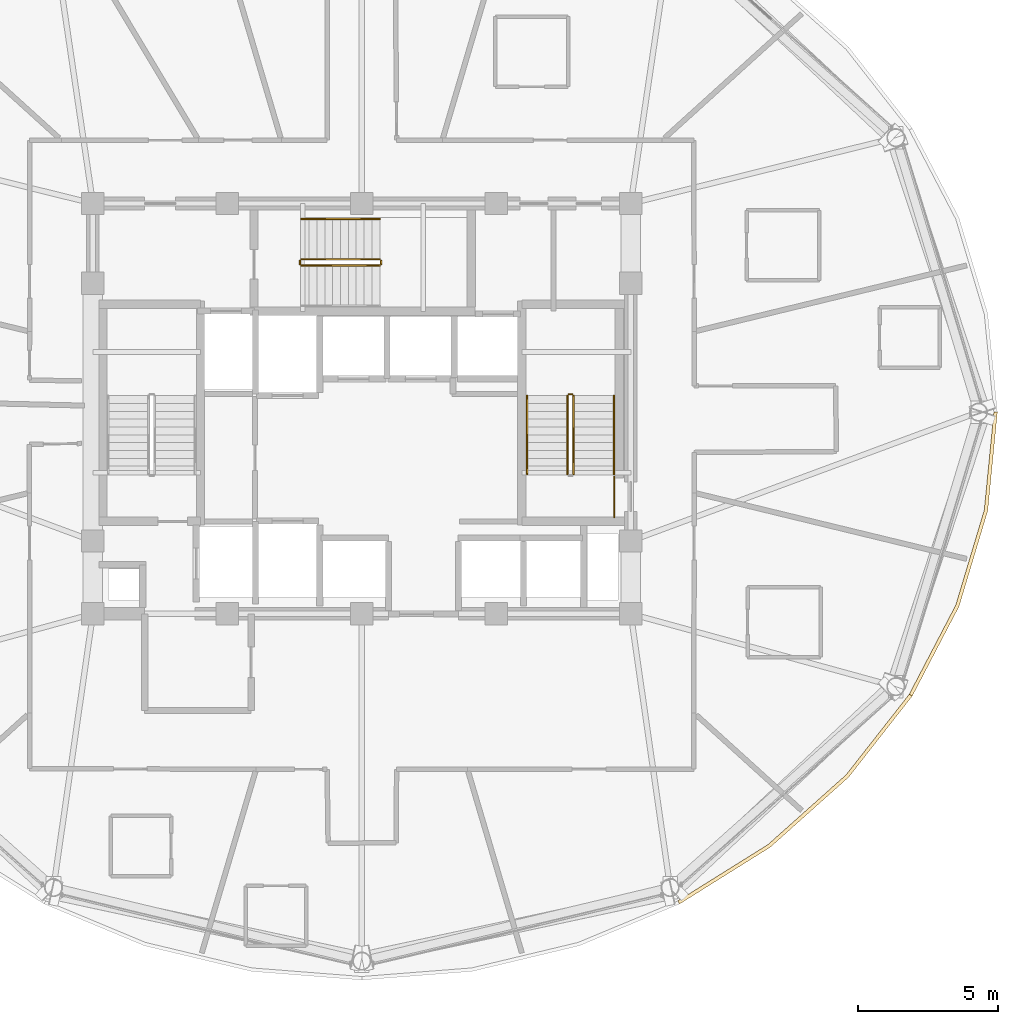
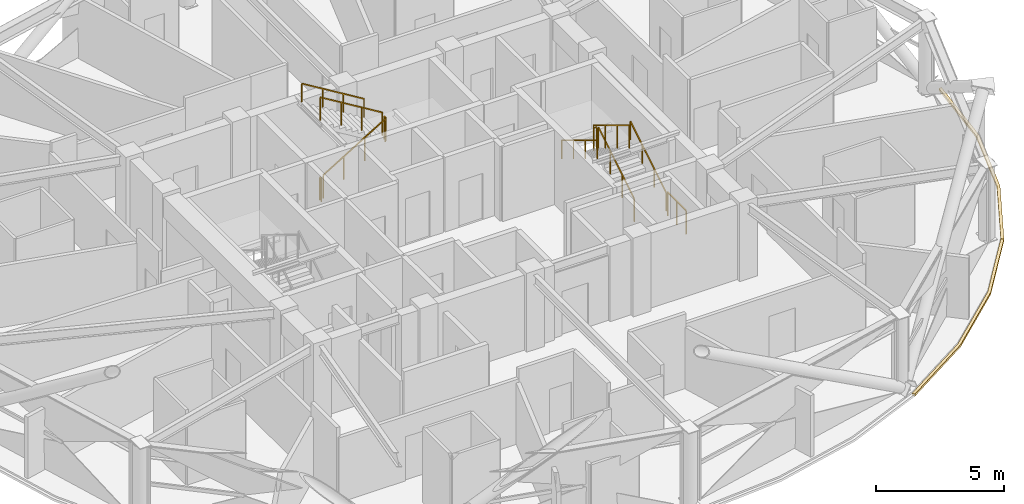
# One storey, part 28 of 29: 11 railings, 2 coverings.
"""IFC4 building model written with IfcOpenShell, lengths in metres."""

from ifc_helpers import new_model, si_unit, direction, frame, origin, origin_2d, place, context, subcontext, project, spatial, polyline, rectangle, outline, extrude, material, layer, layer_set, type_object, element, save


model = new_model("IFC4")

# Units and contexts
model_context = context("Model", 3, precision=1e-05, world=origin(), true_north=direction((0.0, 1.0)))
body_context = subcontext(model_context, "Body", "Model", "MODEL_VIEW")
ifc_project = project(units=[si_unit("LENGTHUNIT", "METRE"), si_unit("AREAUNIT", "SQUARE_METRE"), si_unit("VOLUMEUNIT", "CUBIC_METRE"), si_unit("PLANEANGLEUNIT", "RADIAN"), si_unit("MASSUNIT", "GRAM", prefix="KILO")], contexts=[model_context])

# Site, building, storey
site_placement = place(None, origin())
site = spatial("IfcSite", under=ifc_project, at=site_placement, CompositionType="ELEMENT")
building_placement = place(site_placement, origin())
building = spatial("IfcBuilding", under=site, at=building_placement, Name="Vantalir Tower", CompositionType="ELEMENT")
storey_placement = place(building_placement, frame((0.0, 0.0, 227.39990234375)))
storey = spatial("IfcBuildingStorey", under=building, at=storey_placement, Name="L57", CompositionType="ELEMENT", Elevation=227.39990234375)

# Coverings
ifc_material_1 = material(Name="Anodised champagne aluminium sill fascia", Category="aluminium")
ifc_layer = layer(ifc_material_1, 0.125)
ifc_layer_set = layer_set([ifc_layer], Name="Anodised champagne aluminium sill fascia")
covering_type = type_object("IfcCoveringType", Name="COV-SLAB-FASCIA-125", PredefinedType="CLADDING", material=ifc_layer_set)
covering_1_placement = place(storey_placement, frame((0.0, 0.0, -0.179931640625)))
element("IfcCovering", 1, at=covering_1_placement, inside=storey, type_object=covering_type, Name="L57 Perimeter Slab-Edge Sill Fascia 11", PredefinedType="CLADDING", context=body_context, shape_type="SweptSolid", body=[
    extrude(outline(polyline([(42.843994140625, 7.445068359375), (46.083984375, 9.471923828125), (48.8798828125, 11.969970703125), (51.14794921875, 14.864013671875), (51.0400390625, 14.927001953125), (48.783935546875, 12.050048828125), (46.0029296875, 9.56689453125), (42.781982421875, 7.552978515625), (42.843994140625, 7.445068359375)])), origin(), (0.0, 0.0, 1.0), 0.10498046875),
])
covering_2_placement = place(storey_placement, frame((0.0, 0.0, -0.179931640625)))
element("IfcCovering", 2, at=covering_2_placement, inside=storey, type_object=covering_type, Name="L57 Perimeter Slab-Edge Sill Fascia 12", PredefinedType="CLADDING", context=body_context, shape_type="SweptSolid", body=[
    extrude(outline(polyline([(51.14794921875, 14.864013671875), (52.820068359375, 18.06689453125), (53.843017578125, 21.47998046875), (54.18798828125, 25.0), (54.06298828125, 25.0), (53.719970703125, 21.501953125), (52.701904296875, 18.110107421875), (51.0400390625, 14.927001953125), (51.14794921875, 14.864013671875)])), origin(), (0.0, 0.0, 1.0), 0.10498046875),
])

# Railings
ifc_material_2 = material(Name="Anodised aluminium and stainless steel guard", Category="steel")
railing_type_1 = type_object("IfcRailingType", Name="RAL-GUARD-1120", PredefinedType="GUARDRAIL", material=ifc_material_2)
railing_1_placement = place(storey_placement, frame((39.06005859375, 22.7900390625, 0.170654296875)))
element("IfcRailing", 3, at=railing_1_placement, inside=storey, type_object=railing_type_1, Name="L57 ST2 stair guard 1", PredefinedType="GUARDRAIL", context=body_context, shape_type="SweptSolid", body=[
    extrude(rectangle(XDim=0.048095703125, YDim=0.048095703125, at=origin_2d()), frame((0.0, 0.0, 1.09619140625), z_axis=(0.0, 0.854202870247, 0.519939858505), x_axis=(-1.0, 0.0, 0.0)), (0.0, 0.0, 1.0), 3.278076171875),
    extrude(rectangle(XDim=0.0419921875, YDim=0.0419921875, at=origin_2d()), origin(), (0.0, 0.0, 1.0), 1.072021484375),
    extrude(rectangle(XDim=0.0419921875, YDim=0.0419921875, at=origin_2d()), frame((0.0, 0.933349609375, 0.568115234375)), (0.0, 0.0, 1.0), 1.072021484375),
    extrude(rectangle(XDim=0.0419921875, YDim=0.0419921875, at=origin_2d()), frame((0.0, 1.86669921875, 1.13623046875)), (0.0, 0.0, 1.0), 1.072021484375),
    extrude(rectangle(XDim=0.0419921875, YDim=0.0419921875, at=origin_2d()), frame((0.0, 2.800048828125, 1.704345703125)), (0.0, 0.0, 1.0), 1.072021484375),
])
railing_2_placement = place(storey_placement, frame((39.010009765625, 25.639892578125, 1.875)))
element("IfcRailing", 4, at=railing_2_placement, inside=storey, type_object=railing_type_1, Name="L57 ST2 stair guard 2", PredefinedType="GUARDRAIL", context=body_context, shape_type="SweptSolid", body=[
    extrude(rectangle(XDim=0.048095703125, YDim=0.048095703125, at=origin_2d()), frame((0.0, 0.0, 1.09619140625), z_axis=(-1.0, 0.0, 0.0), x_axis=(0.0, -1.0, 0.0)), (0.0, 0.0, 1.0), 0.1201171875),
    extrude(rectangle(XDim=0.0419921875, YDim=0.0419921875, at=origin_2d()), origin(), (0.0, 0.0, 1.0), 1.072021484375),
    extrude(rectangle(XDim=0.0419921875, YDim=0.0419921875, at=origin_2d()), frame((-0.1201171875, 0.0, 0.0)), (0.0, 0.0, 1.0), 1.072021484375),
])
railing_3_placement = place(storey_placement, frame((38.840087890625, 25.590087890625, 2.045654296875)))
element("IfcRailing", 5, at=railing_3_placement, inside=storey, type_object=railing_type_1, Name="L57 ST2 stair guard 3", PredefinedType="GUARDRAIL", context=body_context, shape_type="SweptSolid", body=[
    extrude(rectangle(XDim=0.048095703125, YDim=0.048095703125, at=origin_2d()), frame((0.0, 0.0, 1.09619140625), z_axis=(0.0, -0.854202870247, 0.519939858505), x_axis=(1.0, 0.0, 0.0)), (0.0, 0.0, 1.0), 3.278076171875),
    extrude(rectangle(XDim=0.0419921875, YDim=0.0419921875, at=origin_2d()), origin(), (0.0, 0.0, 1.0), 1.072021484375),
    extrude(rectangle(XDim=0.0419921875, YDim=0.0419921875, at=origin_2d()), frame((0.0, -0.933349609375, 0.568115234375)), (0.0, 0.0, 1.0), 1.072021484375),
    extrude(rectangle(XDim=0.0419921875, YDim=0.0419921875, at=origin_2d()), frame((0.0, -1.86669921875, 1.13623046875)), (0.0, 0.0, 1.0), 1.072021484375),
    extrude(rectangle(XDim=0.0419921875, YDim=0.0419921875, at=origin_2d()), frame((0.0, -2.800048828125, 1.704345703125)), (0.0, 0.0, 1.0), 1.072021484375),
])
railing_4_placement = place(storey_placement, frame((29.340087890625, 30.239990234375, 0.170654296875)))
element("IfcRailing", 6, at=railing_4_placement, inside=storey, type_object=railing_type_1, Name="L57 ST3 stair guard 1", PredefinedType="GUARDRAIL", context=body_context, shape_type="SweptSolid", body=[
    extrude(rectangle(XDim=0.048095703125, YDim=0.048095703125, at=origin_2d()), frame((0.0, 0.0, 1.09619140625), z_axis=(0.854182733786, 0.0, 0.519972939009), x_axis=(0.0, 1.0, 0.0)), (0.0, 0.0, 1.0), 3.27783203125),
    extrude(rectangle(XDim=0.0419921875, YDim=0.0419921875, at=origin_2d()), origin(), (0.0, 0.0, 1.0), 1.072021484375),
    extrude(rectangle(XDim=0.0419921875, YDim=0.0419921875, at=origin_2d()), frame((0.933349609375, 0.0, 0.568115234375)), (0.0, 0.0, 1.0), 1.072021484375),
    extrude(rectangle(XDim=0.0419921875, YDim=0.0419921875, at=origin_2d()), frame((1.866455078125, 0.0, 1.13623046875)), (0.0, 0.0, 1.0), 1.072021484375),
    extrude(rectangle(XDim=0.0419921875, YDim=0.0419921875, at=origin_2d()), frame((2.7998046875, 0.0, 1.704345703125)), (0.0, 0.0, 1.0), 1.072021484375),
])
railing_5_placement = place(storey_placement, frame((32.18994140625, 30.2900390625, 1.875)))
element("IfcRailing", 7, at=railing_5_placement, inside=storey, type_object=railing_type_1, Name="L57 ST3 stair guard 2", PredefinedType="GUARDRAIL", context=body_context, shape_type="SweptSolid", body=[
    extrude(rectangle(XDim=0.048095703125, YDim=0.048095703125, at=origin_2d()), frame((0.0, 0.0, 1.09619140625), z_axis=(0.0, 1.0, 0.0), x_axis=(-1.0, 0.0, 0.0)), (0.0, 0.0, 1.0), 0.119873046875),
    extrude(rectangle(XDim=0.0419921875, YDim=0.0419921875, at=origin_2d()), origin(), (0.0, 0.0, 1.0), 1.072021484375),
    extrude(rectangle(XDim=0.0419921875, YDim=0.0419921875, at=origin_2d()), frame((0.0, 0.119873046875, 0.0)), (0.0, 0.0, 1.0), 1.072021484375),
])
railing_6_placement = place(storey_placement, frame((32.139892578125, 30.4599609375, 2.045654296875)))
element("IfcRailing", 8, at=railing_6_placement, inside=storey, type_object=railing_type_1, Name="L57 ST3 stair guard 3", PredefinedType="GUARDRAIL", context=body_context, shape_type="SweptSolid", body=[
    extrude(rectangle(XDim=0.048095703125, YDim=0.048095703125, at=origin_2d()), frame((0.0, 0.0, 1.09619140625), z_axis=(-0.854182733786, 0.0, 0.519972939009), x_axis=(0.0, -1.0, 0.0)), (0.0, 0.0, 1.0), 3.27783203125),
    extrude(rectangle(XDim=0.0419921875, YDim=0.0419921875, at=origin_2d()), origin(), (0.0, 0.0, 1.0), 1.072021484375),
    extrude(rectangle(XDim=0.0419921875, YDim=0.0419921875, at=origin_2d()), frame((-0.933349609375, 0.0, 0.568115234375)), (0.0, 0.0, 1.0), 1.072021484375),
    extrude(rectangle(XDim=0.0419921875, YDim=0.0419921875, at=origin_2d()), frame((-1.866455078125, 0.0, 1.13623046875)), (0.0, 0.0, 1.0), 1.072021484375),
    extrude(rectangle(XDim=0.0419921875, YDim=0.0419921875, at=origin_2d()), frame((-2.7998046875, 0.0, 1.704345703125)), (0.0, 0.0, 1.0), 1.072021484375),
])
railing_7_placement = place(storey_placement, frame((29.2900390625, 30.2900390625, 0.0)))
element("IfcRailing", 9, at=railing_7_placement, inside=storey, type_object=railing_type_1, Name="L57 ST3 stair guard 4", PredefinedType="GUARDRAIL", context=body_context, shape_type="SweptSolid", body=[
    extrude(rectangle(XDim=0.048095703125, YDim=0.048095703125, at=origin_2d()), frame((0.0, 0.0, 1.09619140625), z_axis=(0.0, 1.0, 0.0), x_axis=(-1.0, 0.0, 0.0)), (0.0, 0.0, 1.0), 0.119873046875),
    extrude(rectangle(XDim=0.0419921875, YDim=0.0419921875, at=origin_2d()), origin(), (0.0, 0.0, 1.0), 1.072021484375),
    extrude(rectangle(XDim=0.0419921875, YDim=0.0419921875, at=origin_2d()), frame((0.0, 0.119873046875, 0.0)), (0.0, 0.0, 1.0), 1.072021484375),
])
railing_8_placement = place(storey_placement, frame((40.510009765625, 21.260009765625, 0.0)))
element("IfcRailing", 10, at=railing_8_placement, inside=storey, type_object=railing_type_1, Name="L57 Stair ST2 Doorway Landing Guard", PredefinedType="GUARDRAIL", context=body_context, shape_type="SweptSolid", body=[
    extrude(rectangle(XDim=0.048095703125, YDim=0.048095703125, at=origin_2d()), frame((0.0, 0.0, 1.1259765625), z_axis=(0.0, 1.0, 0.0), x_axis=(-1.0, 0.0, 0.0)), (0.0, 0.0, 1.0), 1.43994140625),
    extrude(rectangle(XDim=0.0419921875, YDim=0.0419921875, at=origin_2d()), origin(), (0.0, 0.0, 1.0), 1.101806640625),
    extrude(rectangle(XDim=0.0419921875, YDim=0.0419921875, at=origin_2d()), frame((0.0, 0.719970703125, 0.0)), (0.0, 0.0, 1.0), 1.101806640625),
    extrude(rectangle(XDim=0.0419921875, YDim=0.0419921875, at=origin_2d()), frame((0.0, 1.43994140625, 0.0)), (0.0, 0.0, 1.0), 1.101806640625),
])
ifc_material_3 = material(Name="Brushed stainless steel tubular handrail", Category="steel")
railing_type_2 = type_object("IfcRailingType", Name="RAL-HANDRAIL-900", PredefinedType="HANDRAIL", material=ifc_material_3)
railing_9_placement = place(storey_placement, frame((40.5, 22.7900390625, 0.170654296875)))
element("IfcRailing", 11, at=railing_9_placement, inside=storey, type_object=railing_type_2, Name="L57 ST2 stair handrail 1", PredefinedType="HANDRAIL", context=body_context, shape_type="SweptSolid", body=[
    extrude(rectangle(XDim=0.048095703125, YDim=0.048095703125, at=origin_2d()), frame((0.0, 0.0, 0.8759765625), z_axis=(0.0, 0.854202870247, 0.519939858505), x_axis=(-1.0, 0.0, 0.0)), (0.0, 0.0, 1.0), 3.278076171875),
    extrude(rectangle(XDim=0.0419921875, YDim=0.0419921875, at=origin_2d()), origin(), (0.0, 0.0, 1.0), 0.851806640625),
    extrude(rectangle(XDim=0.0419921875, YDim=0.0419921875, at=origin_2d()), frame((0.0, 0.933349609375, 0.568115234375)), (0.0, 0.0, 1.0), 0.851806640625),
    extrude(rectangle(XDim=0.0419921875, YDim=0.0419921875, at=origin_2d()), frame((0.0, 1.86669921875, 1.13623046875)), (0.0, 0.0, 1.0), 0.851806640625),
    extrude(rectangle(XDim=0.0419921875, YDim=0.0419921875, at=origin_2d()), frame((0.0, 2.800048828125, 1.704345703125)), (0.0, 0.0, 1.0), 0.851806640625),
])
railing_10_placement = place(storey_placement, frame((37.39990234375, 25.590087890625, 2.045654296875)))
element("IfcRailing", 12, at=railing_10_placement, inside=storey, type_object=railing_type_2, Name="L57 ST2 stair handrail 2", PredefinedType="HANDRAIL", context=body_context, shape_type="SweptSolid", body=[
    extrude(rectangle(XDim=0.048095703125, YDim=0.048095703125, at=origin_2d()), frame((0.0, 0.0, 0.8759765625), z_axis=(0.0, -0.854202870247, 0.519939858505), x_axis=(1.0, 0.0, 0.0)), (0.0, 0.0, 1.0), 3.278076171875),
    extrude(rectangle(XDim=0.0419921875, YDim=0.0419921875, at=origin_2d()), origin(), (0.0, 0.0, 1.0), 0.851806640625),
    extrude(rectangle(XDim=0.0419921875, YDim=0.0419921875, at=origin_2d()), frame((0.0, -0.933349609375, 0.568115234375)), (0.0, 0.0, 1.0), 0.851806640625),
    extrude(rectangle(XDim=0.0419921875, YDim=0.0419921875, at=origin_2d()), frame((0.0, -1.86669921875, 1.13623046875)), (0.0, 0.0, 1.0), 0.851806640625),
    extrude(rectangle(XDim=0.0419921875, YDim=0.0419921875, at=origin_2d()), frame((0.0, -2.800048828125, 1.704345703125)), (0.0, 0.0, 1.0), 0.851806640625),
])
railing_11_placement = place(storey_placement, frame((32.139892578125, 31.89990234375, 2.045654296875)))
element("IfcRailing", 13, at=railing_11_placement, inside=storey, type_object=railing_type_2, Name="L57 ST3 stair handrail 2", PredefinedType="HANDRAIL", context=body_context, shape_type="SweptSolid", body=[
    extrude(rectangle(XDim=0.048095703125, YDim=0.048095703125, at=origin_2d()), frame((0.0, 0.0, 0.8759765625), z_axis=(-0.854182733786, 0.0, 0.519972939009), x_axis=(0.0, -1.0, 0.0)), (0.0, 0.0, 1.0), 3.27783203125),
    extrude(rectangle(XDim=0.0419921875, YDim=0.0419921875, at=origin_2d()), origin(), (0.0, 0.0, 1.0), 0.851806640625),
    extrude(rectangle(XDim=0.0419921875, YDim=0.0419921875, at=origin_2d()), frame((-0.933349609375, 0.0, 0.568115234375)), (0.0, 0.0, 1.0), 0.851806640625),
    extrude(rectangle(XDim=0.0419921875, YDim=0.0419921875, at=origin_2d()), frame((-1.866455078125, 0.0, 1.13623046875)), (0.0, 0.0, 1.0), 0.851806640625),
    extrude(rectangle(XDim=0.0419921875, YDim=0.0419921875, at=origin_2d()), frame((-2.7998046875, 0.0, 1.704345703125)), (0.0, 0.0, 1.0), 0.851806640625),
])

save(model, "model.ifc")
